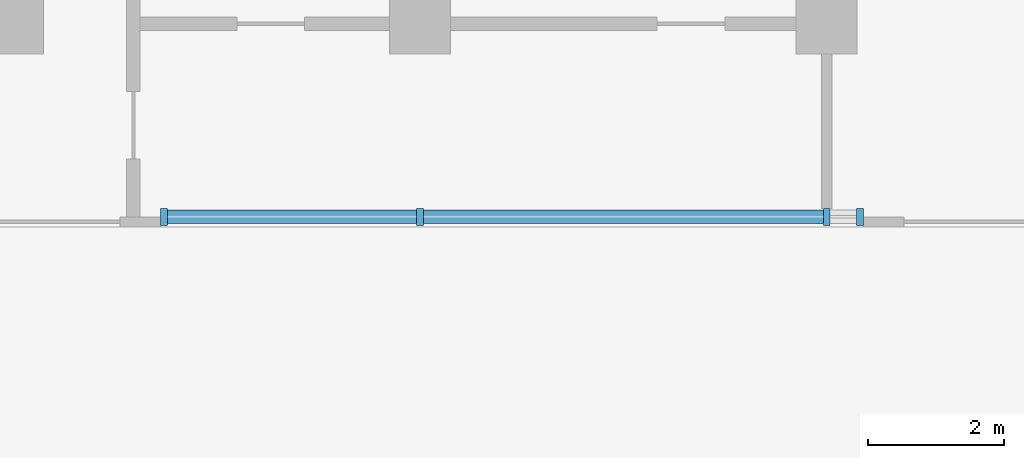
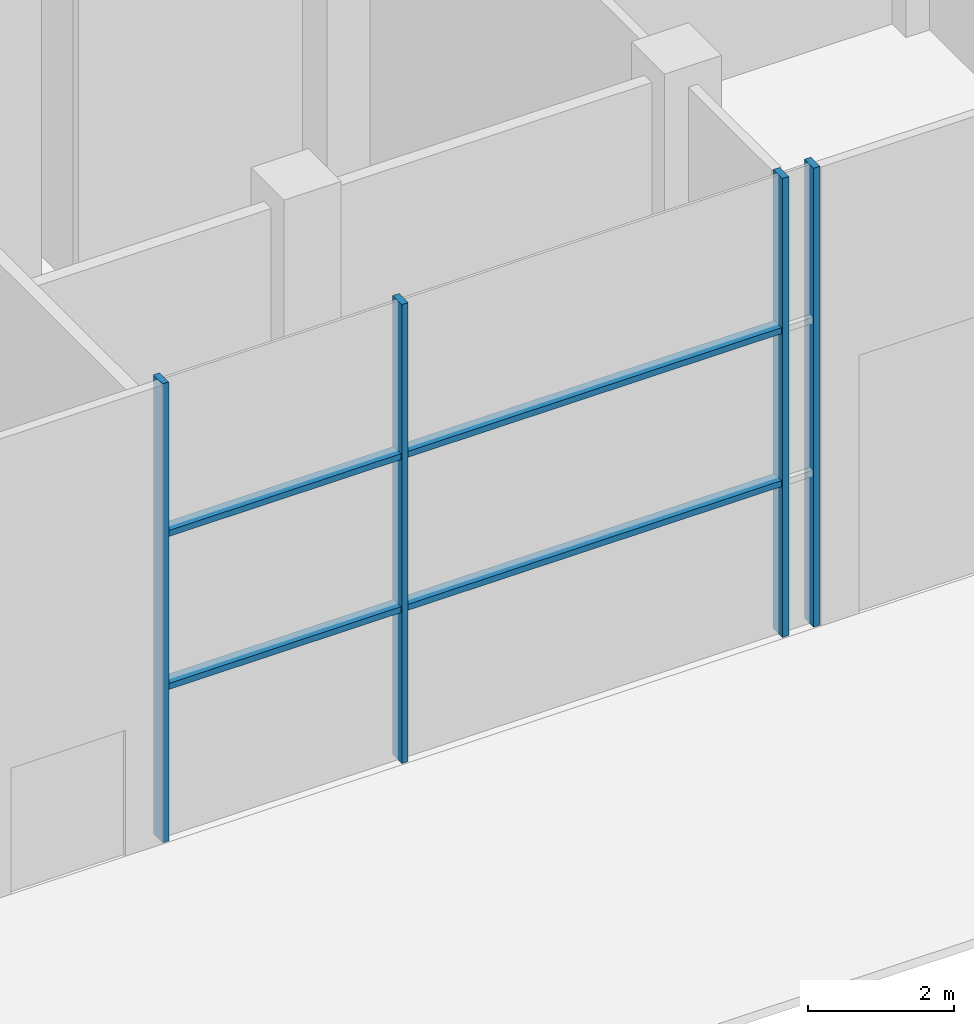
# One storey, part 3 of 29: 8 members, 1 element without a shape of its own.
"""IFC4 building model written with IfcOpenShell, lengths in metres."""

from ifc_helpers import new_model, si_unit, direction, frame, origin, origin_2d, place, context, subcontext, project, spatial, rectangle, extrude, material, material_profile, profile_set, type_object, element, aggregate, save


model = new_model("IFC4")

# Units and contexts
model_context = context("Model", 3, precision=1e-05, world=origin(), true_north=direction((0.0, 1.0)))
body_context = subcontext(model_context, "Body", "Model", "MODEL_VIEW")
ifc_project = project(units=[si_unit("LENGTHUNIT", "METRE"), si_unit("AREAUNIT", "SQUARE_METRE"), si_unit("VOLUMEUNIT", "CUBIC_METRE"), si_unit("PLANEANGLEUNIT", "RADIAN"), si_unit("MASSUNIT", "GRAM", prefix="KILO")], contexts=[model_context])

# Site, building, storey
site_placement = place(None, origin())
site = spatial("IfcSite", under=ifc_project, at=site_placement, CompositionType="ELEMENT")
building_placement = place(site_placement, origin())
building = spatial("IfcBuilding", under=site, at=building_placement, Name="Finial Court Residences", CompositionType="ELEMENT")
storey_placement = place(building_placement, origin())
storey = spatial("IfcBuildingStorey", under=building, at=storey_placement, Name="L00", CompositionType="ELEMENT", Elevation=0.0)

# Curtain wall, members
ifc_material = material(Name="Bronze anodised aluminium", Category="aluminium")
curtain_wall_type = type_object("IfcCurtainWallType", Name="Podium shopfront", PredefinedType="NOTDEFINED", material=ifc_material)
curtain_wall_placement = place(storey_placement, origin())
curtain_wall = element("IfcCurtainWall", 1, at=curtain_wall_placement, inside=storey, type_object=curtain_wall_type, Name="E-L00-CW-S22", PredefinedType="NOTDEFINED")
ifc_material_profile_1 = material_profile(ifc_material, rectangle(XDim=0.25, YDim=0.10009765625, at=origin_2d()), Name="CW4 mullion 100 x 250")
ifc_profile_set_1 = profile_set([ifc_material_profile_1], Name="Bronze anodised aluminium")
member_type_1 = type_object("IfcMemberType", Name="CW4 mullion 100 x 250", PredefinedType="MULLION", material=ifc_profile_set_1)
member_1_placement = place(storey_placement, frame((12.72509765625, -34.35009765625, 0.0), z_axis=(0.0, 0.0, 1.0), x_axis=(0.0, 1.0, 0.0)))
member_1 = element("IfcMember", 2, at=member_1_placement, type_object=member_type_1, Name="CW4 mullion 1", PredefinedType="MULLION", context=body_context, shape_type="SweptSolid", body=[
    extrude(rectangle(XDim=0.25, YDim=0.10009765625, at=origin_2d()), origin(), (0.0, 0.0, 1.0), 7.64990234375),
])
member_2_placement = place(storey_placement, frame((16.5, -34.35009765625, 0.0), z_axis=(0.0, 0.0, 1.0), x_axis=(0.0, 1.0, 0.0)))
member_2 = element("IfcMember", 3, at=member_2_placement, type_object=member_type_1, Name="CW4 mullion 2", PredefinedType="MULLION", context=body_context, shape_type="SweptSolid", body=[
    extrude(rectangle(XDim=0.25, YDim=0.10009765625, at=origin_2d()), origin(), (0.0, 0.0, 1.0), 7.64990234375),
])
member_3_placement = place(storey_placement, frame((22.5, -34.35009765625, 0.0), z_axis=(0.0, 0.0, 1.0), x_axis=(0.0, 1.0, 0.0)))
member_3 = element("IfcMember", 4, at=member_3_placement, type_object=member_type_1, Name="CW4 mullion 3", PredefinedType="MULLION", context=body_context, shape_type="SweptSolid", body=[
    extrude(rectangle(XDim=0.25, YDim=0.10009765625, at=origin_2d()), origin(), (0.0, 0.0, 1.0), 7.64990234375),
])
member_4_placement = place(storey_placement, frame((22.99169921875, -34.35009765625, 0.0), z_axis=(0.0, 0.0, 1.0), x_axis=(0.0, 1.0, 0.0)))
member_4 = element("IfcMember", 5, at=member_4_placement, type_object=member_type_1, Name="CW4 mullion 4", PredefinedType="MULLION", context=body_context, shape_type="SweptSolid", body=[
    extrude(rectangle(XDim=0.25, YDim=0.10009765625, at=origin_2d()), origin(), (0.0, 0.0, 1.0), 7.64990234375),
])
ifc_material_profile_2 = material_profile(ifc_material, rectangle(XDim=0.199951171875, YDim=0.10009765625, at=origin_2d()), Name="CW4 transom 100 x 200")
ifc_profile_set_2 = profile_set([ifc_material_profile_2], Name="Bronze anodised aluminium")
member_type_2 = type_object("IfcMemberType", Name="CW4 transom 100 x 200", PredefinedType="USERDEFINED", material=ifc_profile_set_2)
member_5_placement = place(storey_placement, frame((12.77490234375, -34.35009765625, 2.550048828125), z_axis=(1.0, 0.0, 0.0), x_axis=(0.0, 1.0, 0.0)))
member_5 = element("IfcMember", 6, at=member_5_placement, type_object=member_type_2, Name="CW4 transom 1.1", ObjectType="TRANSOM", PredefinedType="USERDEFINED", context=body_context, shape_type="SweptSolid", body=[
    extrude(rectangle(XDim=0.199951171875, YDim=0.10009765625, at=origin_2d()), origin(), (0.0, 0.0, 1.0), 3.675048828125),
])
member_6_placement = place(storey_placement, frame((12.77490234375, -34.35009765625, 5.10009765625), z_axis=(1.0, 0.0, 0.0), x_axis=(0.0, 1.0, 0.0)))
member_6 = element("IfcMember", 7, at=member_6_placement, type_object=member_type_2, Name="CW4 transom 1.2", ObjectType="TRANSOM", PredefinedType="USERDEFINED", context=body_context, shape_type="SweptSolid", body=[
    extrude(rectangle(XDim=0.199951171875, YDim=0.10009765625, at=origin_2d()), origin(), (0.0, 0.0, 1.0), 3.675048828125),
])
member_7_placement = place(storey_placement, frame((16.550048828125, -34.35009765625, 2.550048828125), z_axis=(1.0, 0.0, 0.0), x_axis=(0.0, 1.0, 0.0)))
member_7 = element("IfcMember", 8, at=member_7_placement, type_object=member_type_2, Name="CW4 transom 2.1", ObjectType="TRANSOM", PredefinedType="USERDEFINED", context=body_context, shape_type="SweptSolid", body=[
    extrude(rectangle(XDim=0.199951171875, YDim=0.10009765625, at=origin_2d()), origin(), (0.0, 0.0, 1.0), 5.89990234375),
])
member_8_placement = place(storey_placement, frame((16.550048828125, -34.35009765625, 5.10009765625), z_axis=(1.0, 0.0, 0.0), x_axis=(0.0, 1.0, 0.0)))
member_8 = element("IfcMember", 9, at=member_8_placement, type_object=member_type_2, Name="CW4 transom 2.2", ObjectType="TRANSOM", PredefinedType="USERDEFINED", context=body_context, shape_type="SweptSolid", body=[
    extrude(rectangle(XDim=0.199951171875, YDim=0.10009765625, at=origin_2d()), origin(), (0.0, 0.0, 1.0), 5.89990234375),
])
aggregate(curtain_wall, [member_1, member_2, member_3, member_4, member_5, member_6, member_7, member_8])

save(model, "model.ifc")
